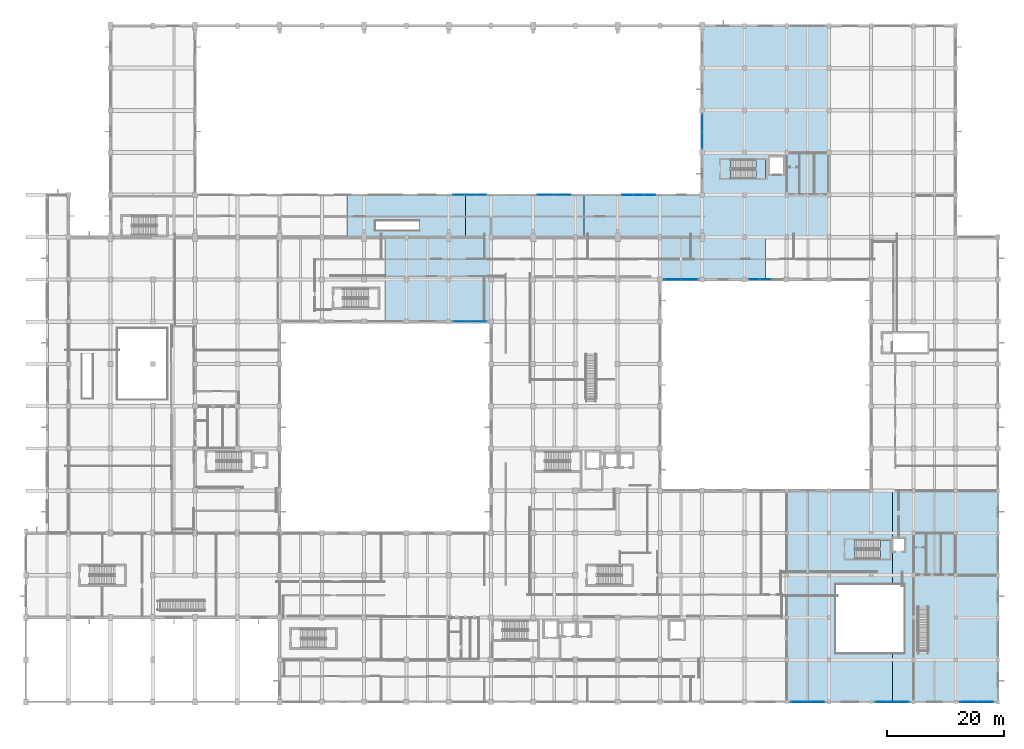
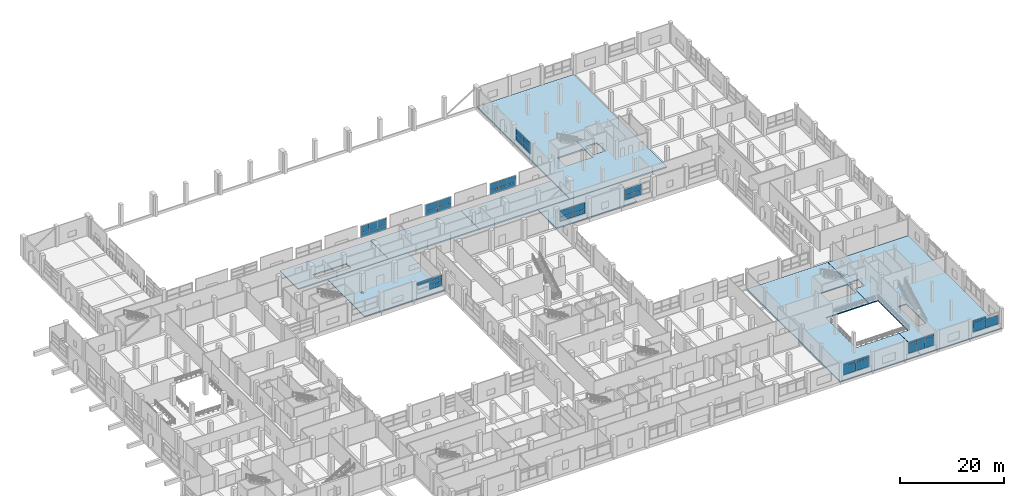
# One storey, part 149 of 181: 45 plates, 10 slabs, 12 elements without a shape of their own.
"""IFC4 building model written with IfcOpenShell, lengths in metres."""

from ifc_helpers import new_model, si_unit, direction, frame, origin, origin_2d, place, context, subcontext, project, spatial, polyline, rectangle, outline, extrude, material, layer, layer_set, type_object, element, aggregate, save


model = new_model("IFC4")

# Units and contexts
model_context = context("Model", 3, precision=1e-05, world=origin(), true_north=direction((0.0, 1.0)))
body_context = subcontext(model_context, "Body", "Model", "MODEL_VIEW")
ifc_project = project(units=[si_unit("LENGTHUNIT", "METRE"), si_unit("AREAUNIT", "SQUARE_METRE"), si_unit("VOLUMEUNIT", "CUBIC_METRE"), si_unit("PLANEANGLEUNIT", "RADIAN"), si_unit("MASSUNIT", "GRAM", prefix="KILO")], contexts=[model_context])

# Site, building, storey
site_placement = place(None, origin())
site = spatial("IfcSite", under=ifc_project, at=site_placement, CompositionType="ELEMENT")
building_placement = place(site_placement, origin())
building = spatial("IfcBuilding", under=site, at=building_placement, Name="Seraya Terrace Polytechnic", CompositionType="ELEMENT")
storey_placement = place(building_placement, frame((0.0, 0.0, 4.800048828125)))
storey = spatial("IfcBuildingStorey", under=building, at=storey_placement, Name="L01", CompositionType="ELEMENT", Elevation=4.800048828125)

# Curtain wall, plates
ifc_material_1 = material(Name="Anodised aluminium EN AW-6063 T6", Category="aluminium")
ifc_layer_1 = layer(ifc_material_1, 0.179931640625, Name="CW-13")
ifc_layer_set_1 = layer_set([ifc_layer_1], Name="Anodised aluminium EN AW-6063 T6")
curtain_wall_type_1 = type_object("IfcCurtainWallType", Name="CW-13", PredefinedType="NOTDEFINED", material=ifc_layer_set_1)
curtain_wall_1_placement = place(storey_placement, origin())
curtain_wall_1 = element("IfcCurtainWall", 1, at=curtain_wall_1_placement, inside=storey, type_object=curtain_wall_type_1, Name="Unitised curtain wall CW-13 (CW-L01-013)", PredefinedType="NOTDEFINED")
ifc_material_2 = material(Name="Laminated solar-control Low-E double glazing", Category="glass")
ifc_layer_2 = layer(ifc_material_2, 0.028076171875, Name="CWP-01")
ifc_layer_set_2 = layer_set([ifc_layer_2], Name="Laminated solar-control Low-E double glazing")
plate_type_1 = type_object("IfcPlateType", Name="CWP-01", PredefinedType="CURTAIN_PANEL", material=ifc_layer_set_2)
plate_1_placement = place(storey_placement, frame((73.6962890625, 86.39990234375, 1.300048828125), z_axis=(0.0, 0.0, 1.0), x_axis=(1.0, 0.0, 0.0)))
plate_1 = element("IfcPlate", 2, at=plate_1_placement, type_object=plate_type_1, Name="CW-13 panel 1.1", PredefinedType="CURTAIN_PANEL", context=body_context, shape_type="SweptSolid", body=[
    extrude(rectangle(XDim=1.822509765625, YDim=0.028076171875, at=origin_2d()), origin(), (0.0, 0.0, 1.0), 1.11962890625),
])
plate_2_placement = place(storey_placement, frame((73.6962890625, 86.39990234375, 2.4794921875), z_axis=(0.0, 0.0, 1.0), x_axis=(1.0, 0.0, 0.0)))
plate_2 = element("IfcPlate", 3, at=plate_2_placement, type_object=plate_type_1, Name="CW-13 panel 1.2", PredefinedType="CURTAIN_PANEL", context=body_context, shape_type="SweptSolid", body=[
    extrude(rectangle(XDim=1.822509765625, YDim=0.028076171875, at=origin_2d()), origin(), (0.0, 0.0, 1.0), 1.580322265625),
])
plate_3_placement = place(storey_placement, frame((75.60009765625, 86.39990234375, 1.300048828125), z_axis=(0.0, 0.0, 1.0), x_axis=(1.0, 0.0, 0.0)))
plate_3 = element("IfcPlate", 4, at=plate_3_placement, type_object=plate_type_1, Name="CW-13 panel 2.1", PredefinedType="CURTAIN_PANEL", context=body_context, shape_type="SweptSolid", body=[
    extrude(rectangle(XDim=1.85498046875, YDim=0.028076171875, at=origin_2d()), origin(), (0.0, 0.0, 1.0), 1.11962890625),
])
plate_4_placement = place(storey_placement, frame((75.60009765625, 86.39990234375, 2.4794921875), z_axis=(0.0, 0.0, 1.0), x_axis=(1.0, 0.0, 0.0)))
plate_4 = element("IfcPlate", 5, at=plate_4_placement, type_object=plate_type_1, Name="CW-13 panel 2.2", PredefinedType="CURTAIN_PANEL", context=body_context, shape_type="SweptSolid", body=[
    extrude(rectangle(XDim=1.85498046875, YDim=0.028076171875, at=origin_2d()), origin(), (0.0, 0.0, 1.0), 1.580322265625),
])
plate_5_placement = place(storey_placement, frame((77.503662109375, 86.39990234375, 1.300048828125), z_axis=(0.0, 0.0, 1.0), x_axis=(1.0, 0.0, 0.0)))
plate_5 = element("IfcPlate", 6, at=plate_5_placement, type_object=plate_type_1, Name="CW-13 panel 3.1", PredefinedType="CURTAIN_PANEL", context=body_context, shape_type="SweptSolid", body=[
    extrude(rectangle(XDim=1.822509765625, YDim=0.028076171875, at=origin_2d()), origin(), (0.0, 0.0, 1.0), 1.11962890625),
])
plate_6_placement = place(storey_placement, frame((77.503662109375, 86.39990234375, 2.4794921875), z_axis=(0.0, 0.0, 1.0), x_axis=(1.0, 0.0, 0.0)))
plate_6 = element("IfcPlate", 7, at=plate_6_placement, type_object=plate_type_1, Name="CW-13 panel 3.2", PredefinedType="CURTAIN_PANEL", context=body_context, shape_type="SweptSolid", body=[
    extrude(rectangle(XDim=1.822509765625, YDim=0.028076171875, at=origin_2d()), origin(), (0.0, 0.0, 1.0), 1.580322265625),
])
aggregate(curtain_wall_1, [plate_1, plate_2, plate_3, plate_4, plate_5, plate_6])

ifc_layer_3 = layer(ifc_material_1, 0.179931640625, Name="CW-16")
ifc_layer_set_3 = layer_set([ifc_layer_3], Name="Anodised aluminium EN AW-6063 T6")
curtain_wall_type_2 = type_object("IfcCurtainWallType", Name="CW-16", PredefinedType="NOTDEFINED", material=ifc_layer_set_3)
curtain_wall_2_placement = place(storey_placement, origin())
curtain_wall_2 = element("IfcCurtainWall", 8, at=curtain_wall_2_placement, inside=storey, type_object=curtain_wall_type_2, Name="Unitised curtain wall CW-16 (CW-L01-016)", PredefinedType="NOTDEFINED")
plate_7_placement = place(storey_placement, frame((115.199951171875, 95.7763671875, 1.2998046875), z_axis=(0.0, 0.0, 1.0), x_axis=(0.0, 1.0, 0.0)))
plate_7 = element("IfcPlate", 9, at=plate_7_placement, type_object=plate_type_1, Name="CW-16 panel 1.1", PredefinedType="CURTAIN_PANEL", context=body_context, shape_type="SweptSolid", body=[
    extrude(rectangle(XDim=2.782470703125, YDim=0.028076171875, at=origin_2d()), origin(), (0.0, 0.0, 1.0), 1.069091796875),
])
plate_8_placement = place(storey_placement, frame((115.199951171875, 95.7763671875, 2.42919921875), z_axis=(0.0, 0.0, 1.0), x_axis=(0.0, 1.0, 0.0)))
plate_8 = element("IfcPlate", 10, at=plate_8_placement, type_object=plate_type_1, Name="CW-16 panel 1.2", PredefinedType="CURTAIN_PANEL", context=body_context, shape_type="SweptSolid", body=[
    extrude(rectangle(XDim=2.782470703125, YDim=0.028076171875, at=origin_2d()), origin(), (0.0, 0.0, 1.0), 1.5107421875),
])
plate_9_placement = place(storey_placement, frame((115.199951171875, 98.623779296875, 1.2998046875), z_axis=(0.0, 0.0, 1.0), x_axis=(0.0, 1.0, 0.0)))
plate_9 = element("IfcPlate", 11, at=plate_9_placement, type_object=plate_type_1, Name="CW-16 panel 2.1", PredefinedType="CURTAIN_PANEL", context=body_context, shape_type="SweptSolid", body=[
    extrude(rectangle(XDim=2.782470703125, YDim=0.028076171875, at=origin_2d()), origin(), (0.0, 0.0, 1.0), 1.069091796875),
])
plate_10_placement = place(storey_placement, frame((115.199951171875, 98.623779296875, 2.42919921875), z_axis=(0.0, 0.0, 1.0), x_axis=(0.0, 1.0, 0.0)))
plate_10 = element("IfcPlate", 12, at=plate_10_placement, type_object=plate_type_1, Name="CW-16 panel 2.2", PredefinedType="CURTAIN_PANEL", context=body_context, shape_type="SweptSolid", body=[
    extrude(rectangle(XDim=2.782470703125, YDim=0.028076171875, at=origin_2d()), origin(), (0.0, 0.0, 1.0), 1.5107421875),
])
aggregate(curtain_wall_2, [plate_7, plate_8, plate_9, plate_10])

ifc_layer_4 = layer(ifc_material_1, 0.179931640625, Name="CW-28")
ifc_layer_set_4 = layer_set([ifc_layer_4], Name="Anodised aluminium EN AW-6063 T6")
curtain_wall_type_3 = type_object("IfcCurtainWallType", Name="CW-28", PredefinedType="NOTDEFINED", material=ifc_layer_set_4)
curtain_wall_3_placement = place(storey_placement, origin())
curtain_wall_3 = element("IfcCurtainWall", 13, at=curtain_wall_3_placement, inside=storey, type_object=curtain_wall_type_3, Name="Unitised curtain wall CW-28 (CW-L01-028)", PredefinedType="NOTDEFINED")
plate_11_placement = place(storey_placement, frame((149.503662109375, 0.0, 1.2998046875), z_axis=(0.0, 0.0, 1.0), x_axis=(-1.0, 0.0, 0.0)))
plate_11 = element("IfcPlate", 14, at=plate_11_placement, type_object=plate_type_1, Name="CW-28 panel 1.1", PredefinedType="CURTAIN_PANEL", context=body_context, shape_type="SweptSolid", body=[
    extrude(rectangle(XDim=1.822509765625, YDim=0.028076171875, at=origin_2d()), origin(), (0.0, 0.0, 1.0), 2.050048828125),
])
plate_12_placement = place(storey_placement, frame((149.503662109375, 0.0, 3.41015625), z_axis=(0.0, 0.0, 1.0), x_axis=(-1.0, 0.0, 0.0)))
plate_12 = element("IfcPlate", 15, at=plate_12_placement, type_object=plate_type_1, Name="CW-28 panel 1.2", PredefinedType="CURTAIN_PANEL", context=body_context, shape_type="SweptSolid", body=[
    extrude(rectangle(XDim=1.822509765625, YDim=0.028076171875, at=origin_2d()), origin(), (0.0, 0.0, 1.0), 0.530029296875),
])
plate_13_placement = place(storey_placement, frame((147.60009765625, 0.0, 1.2998046875), z_axis=(0.0, 0.0, 1.0), x_axis=(-1.0, 0.0, 0.0)))
plate_13 = element("IfcPlate", 16, at=plate_13_placement, type_object=plate_type_1, Name="CW-28 panel 2.1", PredefinedType="CURTAIN_PANEL", context=body_context, shape_type="SweptSolid", body=[
    extrude(rectangle(XDim=1.85498046875, YDim=0.028076171875, at=origin_2d()), origin(), (0.0, 0.0, 1.0), 2.050048828125),
])
plate_14_placement = place(storey_placement, frame((147.60009765625, 0.0, 3.41015625), z_axis=(0.0, 0.0, 1.0), x_axis=(-1.0, 0.0, 0.0)))
plate_14 = element("IfcPlate", 17, at=plate_14_placement, type_object=plate_type_1, Name="CW-28 panel 2.2", PredefinedType="CURTAIN_PANEL", context=body_context, shape_type="SweptSolid", body=[
    extrude(rectangle(XDim=1.85498046875, YDim=0.028076171875, at=origin_2d()), origin(), (0.0, 0.0, 1.0), 0.530029296875),
])
plate_15_placement = place(storey_placement, frame((145.6962890625, 0.0, 1.2998046875), z_axis=(0.0, 0.0, 1.0), x_axis=(-1.0, 0.0, 0.0)))
plate_15 = element("IfcPlate", 18, at=plate_15_placement, type_object=plate_type_1, Name="CW-28 panel 3.1", PredefinedType="CURTAIN_PANEL", context=body_context, shape_type="SweptSolid", body=[
    extrude(rectangle(XDim=1.822509765625, YDim=0.028076171875, at=origin_2d()), origin(), (0.0, 0.0, 1.0), 2.050048828125),
])
plate_16_placement = place(storey_placement, frame((145.6962890625, 0.0, 3.41015625), z_axis=(0.0, 0.0, 1.0), x_axis=(-1.0, 0.0, 0.0)))
plate_16 = element("IfcPlate", 19, at=plate_16_placement, type_object=plate_type_1, Name="CW-28 panel 3.2", PredefinedType="CURTAIN_PANEL", context=body_context, shape_type="SweptSolid", body=[
    extrude(rectangle(XDim=1.822509765625, YDim=0.028076171875, at=origin_2d()), origin(), (0.0, 0.0, 1.0), 0.530029296875),
])
aggregate(curtain_wall_3, [plate_11, plate_12, plate_13, plate_14, plate_15, plate_16])

ifc_layer_5 = layer(ifc_material_1, 0.179931640625, Name="CW-07")
ifc_layer_set_5 = layer_set([ifc_layer_5], Name="Anodised aluminium EN AW-6063 T6")
curtain_wall_type_4 = type_object("IfcCurtainWallType", Name="CW-07", PredefinedType="NOTDEFINED", material=ifc_layer_set_5)
curtain_wall_4_placement = place(storey_placement, origin())
curtain_wall_4 = element("IfcCurtainWall", 20, at=curtain_wall_4_placement, inside=storey, type_object=curtain_wall_type_4, Name="Unitised curtain wall CW-07 (CW-L01-043)", PredefinedType="NOTDEFINED")
plate_17_placement = place(storey_placement, frame((77.023681640625, 64.800048828125, 1.300048828125), z_axis=(0.0, 0.0, 1.0), x_axis=(-1.0, 0.0, 0.0)))
plate_17 = element("IfcPlate", 21, at=plate_17_placement, type_object=plate_type_1, Name="CW-07 panel 1.1", PredefinedType="CURTAIN_PANEL", context=body_context, shape_type="SweptSolid", body=[
    extrude(rectangle(XDim=2.782470703125, YDim=0.028076171875, at=origin_2d()), origin(), (0.0, 0.0, 1.0), 0.8603515625),
])
plate_18_placement = place(storey_placement, frame((77.023681640625, 64.800048828125, 2.22021484375), z_axis=(0.0, 0.0, 1.0), x_axis=(-1.0, 0.0, 0.0)))
plate_18 = element("IfcPlate", 22, at=plate_18_placement, type_object=plate_type_1, Name="CW-07 panel 1.2", PredefinedType="CURTAIN_PANEL", context=body_context, shape_type="SweptSolid", body=[
    extrude(rectangle(XDim=2.782470703125, YDim=0.028076171875, at=origin_2d()), origin(), (0.0, 0.0, 1.0), 0.890380859375),
])
plate_19_placement = place(storey_placement, frame((77.023681640625, 64.800048828125, 3.1708984375), z_axis=(0.0, 0.0, 1.0), x_axis=(-1.0, 0.0, 0.0)))
plate_19 = element("IfcPlate", 23, at=plate_19_placement, type_object=plate_type_1, Name="CW-07 panel 1.3", PredefinedType="CURTAIN_PANEL", context=body_context, shape_type="SweptSolid", body=[
    extrude(rectangle(XDim=2.782470703125, YDim=0.028076171875, at=origin_2d()), origin(), (0.0, 0.0, 1.0), 0.649169921875),
])
plate_20_placement = place(storey_placement, frame((74.17626953125, 64.800048828125, 3.1708984375), z_axis=(0.0, 0.0, 1.0), x_axis=(-1.0, 0.0, 0.0)))
plate_20 = element("IfcPlate", 24, at=plate_20_placement, type_object=plate_type_1, Name="CW-07 panel 2.3", PredefinedType="CURTAIN_PANEL", context=body_context, shape_type="SweptSolid", body=[
    extrude(rectangle(XDim=2.782470703125, YDim=0.028076171875, at=origin_2d()), origin(), (0.0, 0.0, 1.0), 0.649169921875),
])
aggregate(curtain_wall_4, [plate_17, plate_18, plate_19, plate_20])

curtain_wall_5_placement = place(storey_placement, origin())
curtain_wall_5 = element("IfcCurtainWall", 25, at=curtain_wall_5_placement, inside=storey, type_object=curtain_wall_type_1, Name="Unitised curtain wall CW-13 (CW-L01-049)", PredefinedType="NOTDEFINED")
plate_21_placement = place(storey_placement, frame((126.0, 72.0, 1.2998046875), z_axis=(0.0, 0.0, 1.0), x_axis=(-1.0, 0.0, 0.0)))
plate_21 = element("IfcPlate", 26, at=plate_21_placement, type_object=plate_type_1, Name="CW-13 panel 2.1", PredefinedType="CURTAIN_PANEL", context=body_context, shape_type="SweptSolid", body=[
    extrude(rectangle(XDim=1.85498046875, YDim=0.028076171875, at=origin_2d()), origin(), (0.0, 0.0, 1.0), 1.018798828125),
])
plate_22_placement = place(storey_placement, frame((126.0, 72.0, 2.37890625), z_axis=(0.0, 0.0, 1.0), x_axis=(-1.0, 0.0, 0.0)))
plate_22 = element("IfcPlate", 27, at=plate_22_placement, type_object=plate_type_1, Name="CW-13 panel 2.2", PredefinedType="CURTAIN_PANEL", context=body_context, shape_type="SweptSolid", body=[
    extrude(rectangle(XDim=1.85498046875, YDim=0.028076171875, at=origin_2d()), origin(), (0.0, 0.0, 1.0), 1.441162109375),
])
plate_23_placement = place(storey_placement, frame((124.09619140625, 72.0, 1.2998046875), z_axis=(0.0, 0.0, 1.0), x_axis=(-1.0, 0.0, 0.0)))
plate_23 = element("IfcPlate", 28, at=plate_23_placement, type_object=plate_type_1, Name="CW-13 panel 3.1", PredefinedType="CURTAIN_PANEL", context=body_context, shape_type="SweptSolid", body=[
    extrude(rectangle(XDim=1.822509765625, YDim=0.028076171875, at=origin_2d()), origin(), (0.0, 0.0, 1.0), 1.018798828125),
])
plate_24_placement = place(storey_placement, frame((124.09619140625, 72.0, 2.37890625), z_axis=(0.0, 0.0, 1.0), x_axis=(-1.0, 0.0, 0.0)))
plate_24 = element("IfcPlate", 29, at=plate_24_placement, type_object=plate_type_1, Name="CW-13 panel 3.2", PredefinedType="CURTAIN_PANEL", context=body_context, shape_type="SweptSolid", body=[
    extrude(rectangle(XDim=1.822509765625, YDim=0.028076171875, at=origin_2d()), origin(), (0.0, 0.0, 1.0), 1.441162109375),
])
aggregate(curtain_wall_5, [plate_21, plate_22, plate_23, plate_24])

ifc_layer_6 = layer(ifc_material_1, 0.179931640625, Name="CW-14")
ifc_layer_set_6 = layer_set([ifc_layer_6], Name="Anodised aluminium EN AW-6063 T6")
curtain_wall_type_5 = type_object("IfcCurtainWallType", Name="CW-14", PredefinedType="NOTDEFINED", material=ifc_layer_set_6)
curtain_wall_6_placement = place(storey_placement, origin())
curtain_wall_6 = element("IfcCurtainWall", 30, at=curtain_wall_6_placement, inside=storey, type_object=curtain_wall_type_5, Name="Unitised curtain wall CW-14 (CW-L01-014)", PredefinedType="NOTDEFINED")
ifc_layer_7 = layer(ifc_material_2, 0.031982421875, Name="CWP-02")
ifc_layer_set_7 = layer_set([ifc_layer_7], Name="Laminated solar-control Low-E double glazing")
plate_type_2 = type_object("IfcPlateType", Name="CWP-02", PredefinedType="CURTAIN_PANEL", material=ifc_layer_set_7)
plate_25_placement = place(storey_placement, frame((88.574951171875, 86.39990234375, 1.2998046875), z_axis=(0.0, 0.0, 1.0), x_axis=(1.0, 0.0, 0.0)))
plate_25 = element("IfcPlate", 31, at=plate_25_placement, type_object=plate_type_2, Name="CW-14 panel 1.1", PredefinedType="CURTAIN_PANEL", context=body_context, shape_type="SweptSolid", body=[
    extrude(rectangle(XDim=2.7900390625, YDim=0.031982421875, at=origin_2d()), origin(), (0.0, 0.0, 1.0), 1.102783203125),
])
plate_26_placement = place(storey_placement, frame((88.574951171875, 86.39990234375, 2.462890625), z_axis=(0.0, 0.0, 1.0), x_axis=(1.0, 0.0, 0.0)))
plate_26 = element("IfcPlate", 32, at=plate_26_placement, type_object=plate_type_2, Name="CW-14 panel 1.2", PredefinedType="CURTAIN_PANEL", context=body_context, shape_type="SweptSolid", body=[
    extrude(rectangle(XDim=2.7900390625, YDim=0.031982421875, at=origin_2d()), origin(), (0.0, 0.0, 1.0), 1.55712890625),
])
plate_27_placement = place(storey_placement, frame((91.425048828125, 86.39990234375, 1.2998046875), z_axis=(0.0, 0.0, 1.0), x_axis=(1.0, 0.0, 0.0)))
plate_27 = element("IfcPlate", 33, at=plate_27_placement, type_object=plate_type_2, Name="CW-14 panel 2.1", PredefinedType="CURTAIN_PANEL", context=body_context, shape_type="SweptSolid", body=[
    extrude(rectangle(XDim=2.7900390625, YDim=0.031982421875, at=origin_2d()), origin(), (0.0, 0.0, 1.0), 1.102783203125),
])
plate_28_placement = place(storey_placement, frame((91.425048828125, 86.39990234375, 2.462890625), z_axis=(0.0, 0.0, 1.0), x_axis=(1.0, 0.0, 0.0)))
plate_28 = element("IfcPlate", 34, at=plate_28_placement, type_object=plate_type_2, Name="CW-14 panel 2.2", PredefinedType="CURTAIN_PANEL", context=body_context, shape_type="SweptSolid", body=[
    extrude(rectangle(XDim=2.7900390625, YDim=0.031982421875, at=origin_2d()), origin(), (0.0, 0.0, 1.0), 1.55712890625),
])
aggregate(curtain_wall_6, [plate_25, plate_26, plate_27, plate_28])

ifc_layer_8 = layer(ifc_material_1, 0.179931640625, Name="CW-29")
ifc_layer_set_8 = layer_set([ifc_layer_8], Name="Anodised aluminium EN AW-6063 T6")
curtain_wall_type_6 = type_object("IfcCurtainWallType", Name="CW-29", PredefinedType="NOTDEFINED", material=ifc_layer_set_8)
curtain_wall_7_placement = place(storey_placement, origin())
curtain_wall_7 = element("IfcCurtainWall", 35, at=curtain_wall_7_placement, inside=storey, type_object=curtain_wall_type_6, Name="Unitised curtain wall CW-29 (CW-L01-029)", PredefinedType="NOTDEFINED")
plate_29_placement = place(storey_placement, frame((134.625, 0.0, 1.2998046875), z_axis=(0.0, 0.0, 1.0), x_axis=(-1.0, 0.0, 0.0)))
plate_29 = element("IfcPlate", 36, at=plate_29_placement, type_object=plate_type_2, Name="CW-29 panel 1.1", PredefinedType="CURTAIN_PANEL", context=body_context, shape_type="SweptSolid", body=[
    extrude(rectangle(XDim=2.7900390625, YDim=0.031982421875, at=origin_2d()), origin(), (0.0, 0.0, 1.0), 2.010009765625),
])
plate_30_placement = place(storey_placement, frame((134.625, 0.0, 3.3701171875), z_axis=(0.0, 0.0, 1.0), x_axis=(-1.0, 0.0, 0.0)))
plate_30 = element("IfcPlate", 37, at=plate_30_placement, type_object=plate_type_2, Name="CW-29 panel 1.2", PredefinedType="CURTAIN_PANEL", context=body_context, shape_type="SweptSolid", body=[
    extrude(rectangle(XDim=2.7900390625, YDim=0.031982421875, at=origin_2d()), origin(), (0.0, 0.0, 1.0), 0.530029296875),
])
plate_31_placement = place(storey_placement, frame((131.77490234375, 0.0, 1.2998046875), z_axis=(0.0, 0.0, 1.0), x_axis=(-1.0, 0.0, 0.0)))
plate_31 = element("IfcPlate", 38, at=plate_31_placement, type_object=plate_type_2, Name="CW-29 panel 2.1", PredefinedType="CURTAIN_PANEL", context=body_context, shape_type="SweptSolid", body=[
    extrude(rectangle(XDim=2.7900390625, YDim=0.031982421875, at=origin_2d()), origin(), (0.0, 0.0, 1.0), 2.010009765625),
])
plate_32_placement = place(storey_placement, frame((131.77490234375, 0.0, 3.3701171875), z_axis=(0.0, 0.0, 1.0), x_axis=(-1.0, 0.0, 0.0)))
plate_32 = element("IfcPlate", 39, at=plate_32_placement, type_object=plate_type_2, Name="CW-29 panel 2.2", PredefinedType="CURTAIN_PANEL", context=body_context, shape_type="SweptSolid", body=[
    extrude(rectangle(XDim=2.7900390625, YDim=0.031982421875, at=origin_2d()), origin(), (0.0, 0.0, 1.0), 0.530029296875),
])
aggregate(curtain_wall_7, [plate_29, plate_30, plate_31, plate_32])

curtain_wall_8_placement = place(storey_placement, origin())
curtain_wall_8 = element("IfcCurtainWall", 40, at=curtain_wall_8_placement, inside=storey, type_object=curtain_wall_type_5, Name="Unitised curtain wall CW-14 (CW-L01-050)", PredefinedType="NOTDEFINED")
plate_33_placement = place(storey_placement, frame((113.02490234375, 72.0, 1.2998046875), z_axis=(0.0, 0.0, 1.0), x_axis=(-1.0, 0.0, 0.0)))
plate_33 = element("IfcPlate", 41, at=plate_33_placement, type_object=plate_type_2, Name="CW-14 panel 1.1", PredefinedType="CURTAIN_PANEL", context=body_context, shape_type="SweptSolid", body=[
    extrude(rectangle(XDim=2.7900390625, YDim=0.031982421875, at=origin_2d()), origin(), (0.0, 0.0, 1.0), 1.018798828125),
])
plate_34_placement = place(storey_placement, frame((113.02490234375, 72.0, 2.37890625), z_axis=(0.0, 0.0, 1.0), x_axis=(-1.0, 0.0, 0.0)))
plate_34 = element("IfcPlate", 42, at=plate_34_placement, type_object=plate_type_2, Name="CW-14 panel 1.2", PredefinedType="CURTAIN_PANEL", context=body_context, shape_type="SweptSolid", body=[
    extrude(rectangle(XDim=2.7900390625, YDim=0.031982421875, at=origin_2d()), origin(), (0.0, 0.0, 1.0), 1.441162109375),
])
plate_35_placement = place(storey_placement, frame((110.175048828125, 72.0, 1.2998046875), z_axis=(0.0, 0.0, 1.0), x_axis=(-1.0, 0.0, 0.0)))
plate_35 = element("IfcPlate", 43, at=plate_35_placement, type_object=plate_type_2, Name="CW-14 panel 2.1", PredefinedType="CURTAIN_PANEL", context=body_context, shape_type="SweptSolid", body=[
    extrude(rectangle(XDim=2.7900390625, YDim=0.031982421875, at=origin_2d()), origin(), (0.0, 0.0, 1.0), 1.018798828125),
])
plate_36_placement = place(storey_placement, frame((110.175048828125, 72.0, 2.37890625), z_axis=(0.0, 0.0, 1.0), x_axis=(-1.0, 0.0, 0.0)))
plate_36 = element("IfcPlate", 44, at=plate_36_placement, type_object=plate_type_2, Name="CW-14 panel 2.2", PredefinedType="CURTAIN_PANEL", context=body_context, shape_type="SweptSolid", body=[
    extrude(rectangle(XDim=2.7900390625, YDim=0.031982421875, at=origin_2d()), origin(), (0.0, 0.0, 1.0), 1.441162109375),
])
aggregate(curtain_wall_8, [plate_33, plate_34, plate_35, plate_36])

ifc_layer_9 = layer(ifc_material_1, 0.179931640625, Name="CW-15")
ifc_layer_set_9 = layer_set([ifc_layer_9], Name="Anodised aluminium EN AW-6063 T6")
curtain_wall_type_7 = type_object("IfcCurtainWallType", Name="CW-15", PredefinedType="NOTDEFINED", material=ifc_layer_set_9)
curtain_wall_9_placement = place(storey_placement, origin())
curtain_wall_9 = element("IfcCurtainWall", 45, at=curtain_wall_9_placement, inside=storey, type_object=curtain_wall_type_7, Name="Unitised curtain wall CW-15 (CW-L01-015)", PredefinedType="NOTDEFINED")
ifc_layer_10 = layer(ifc_material_2, 0.035888671875, Name="CWP-03")
ifc_layer_set_10 = layer_set([ifc_layer_10], Name="Laminated solar-control Low-E double glazing")
plate_type_3 = type_object("IfcPlateType", Name="CWP-03", PredefinedType="CURTAIN_PANEL", material=ifc_layer_set_10)
plate_37_placement = place(storey_placement, frame((102.4951171875, 86.39990234375, 1.294921875), z_axis=(0.0, 0.0, 1.0), x_axis=(1.0, 0.0, 0.0)))
plate_37 = element("IfcPlate", 46, at=plate_37_placement, type_object=plate_type_3, Name="CW-15 panel 1.1", PredefinedType="CURTAIN_PANEL", context=body_context, shape_type="SweptSolid", body=[
    extrude(rectangle(XDim=1.830078125, YDim=0.035888671875, at=origin_2d()), origin(), (0.0, 0.0, 1.0), 1.093505859375),
])
plate_38_placement = place(storey_placement, frame((102.4951171875, 86.39990234375, 2.443359375), z_axis=(0.0, 0.0, 1.0), x_axis=(1.0, 0.0, 0.0)))
plate_38 = element("IfcPlate", 47, at=plate_38_placement, type_object=plate_type_3, Name="CW-15 panel 1.2", PredefinedType="CURTAIN_PANEL", context=body_context, shape_type="SweptSolid", body=[
    extrude(rectangle(XDim=1.830078125, YDim=0.035888671875, at=origin_2d()), origin(), (0.0, 0.0, 1.0), 1.54150390625),
])
plate_39_placement = place(storey_placement, frame((104.39990234375, 86.39990234375, 1.294921875), z_axis=(0.0, 0.0, 1.0), x_axis=(1.0, 0.0, 0.0)))
plate_39 = element("IfcPlate", 48, at=plate_39_placement, type_object=plate_type_3, Name="CW-15 panel 2.1", PredefinedType="CURTAIN_PANEL", context=body_context, shape_type="SweptSolid", body=[
    extrude(rectangle(XDim=1.860107421875, YDim=0.035888671875, at=origin_2d()), origin(), (0.0, 0.0, 1.0), 1.093505859375),
])
plate_40_placement = place(storey_placement, frame((104.39990234375, 86.39990234375, 2.443359375), z_axis=(0.0, 0.0, 1.0), x_axis=(1.0, 0.0, 0.0)))
plate_40 = element("IfcPlate", 49, at=plate_40_placement, type_object=plate_type_3, Name="CW-15 panel 2.2", PredefinedType="CURTAIN_PANEL", context=body_context, shape_type="SweptSolid", body=[
    extrude(rectangle(XDim=1.860107421875, YDim=0.035888671875, at=origin_2d()), origin(), (0.0, 0.0, 1.0), 1.54150390625),
])
plate_41_placement = place(storey_placement, frame((106.304931640625, 86.39990234375, 1.294921875), z_axis=(0.0, 0.0, 1.0), x_axis=(1.0, 0.0, 0.0)))
plate_41 = element("IfcPlate", 50, at=plate_41_placement, type_object=plate_type_3, Name="CW-15 panel 3.1", PredefinedType="CURTAIN_PANEL", context=body_context, shape_type="SweptSolid", body=[
    extrude(rectangle(XDim=1.830078125, YDim=0.035888671875, at=origin_2d()), origin(), (0.0, 0.0, 1.0), 1.093505859375),
])
plate_42_placement = place(storey_placement, frame((106.304931640625, 86.39990234375, 2.443359375), z_axis=(0.0, 0.0, 1.0), x_axis=(1.0, 0.0, 0.0)))
plate_42 = element("IfcPlate", 51, at=plate_42_placement, type_object=plate_type_3, Name="CW-15 panel 3.2", PredefinedType="CURTAIN_PANEL", context=body_context, shape_type="SweptSolid", body=[
    extrude(rectangle(XDim=1.830078125, YDim=0.035888671875, at=origin_2d()), origin(), (0.0, 0.0, 1.0), 1.54150390625),
])
aggregate(curtain_wall_9, [plate_37, plate_38, plate_39, plate_40, plate_41, plate_42])

ifc_layer_11 = layer(ifc_material_1, 0.179931640625, Name="CW-27")
ifc_layer_set_11 = layer_set([ifc_layer_11], Name="Anodised aluminium EN AW-6063 T6")
curtain_wall_type_8 = type_object("IfcCurtainWallType", Name="CW-27", PredefinedType="NOTDEFINED", material=ifc_layer_set_11)
curtain_wall_10_placement = place(storey_placement, origin())
curtain_wall_10 = element("IfcCurtainWall", 52, at=curtain_wall_10_placement, inside=storey, type_object=curtain_wall_type_8, Name="Unitised curtain wall CW-27 (CW-L01-027)", PredefinedType="NOTDEFINED")
plate_43_placement = place(storey_placement, frame((163.425048828125, 0.0, 1.294921875), z_axis=(0.0, 0.0, 1.0), x_axis=(-1.0, 0.0, 0.0)))
plate_43 = element("IfcPlate", 53, at=plate_43_placement, type_object=plate_type_3, Name="CW-27 panel 1.1", PredefinedType="CURTAIN_PANEL", context=body_context, shape_type="SweptSolid", body=[
    extrude(rectangle(XDim=2.7900390625, YDim=0.035888671875, at=origin_2d()), origin(), (0.0, 0.0, 1.0), 2.097412109375),
])
plate_44_placement = place(storey_placement, frame((160.574951171875, 0.0, 1.294921875), z_axis=(0.0, 0.0, 1.0), x_axis=(-1.0, 0.0, 0.0)))
plate_44 = element("IfcPlate", 54, at=plate_44_placement, type_object=plate_type_3, Name="CW-27 panel 2.1", PredefinedType="CURTAIN_PANEL", context=body_context, shape_type="SweptSolid", body=[
    extrude(rectangle(XDim=2.7900390625, YDim=0.035888671875, at=origin_2d()), origin(), (0.0, 0.0, 1.0), 2.097412109375),
])
plate_45_placement = place(storey_placement, frame((160.574951171875, 0.0, 3.447509765625), z_axis=(0.0, 0.0, 1.0), x_axis=(-1.0, 0.0, 0.0)))
plate_45 = element("IfcPlate", 55, at=plate_45_placement, type_object=plate_type_3, Name="CW-27 panel 2.2", PredefinedType="CURTAIN_PANEL", context=body_context, shape_type="SweptSolid", body=[
    extrude(rectangle(XDim=2.7900390625, YDim=0.035888671875, at=origin_2d()), origin(), (0.0, 0.0, 1.0), 0.53759765625),
])
aggregate(curtain_wall_10, [plate_43, plate_44, plate_45])

# Slabs
ifc_material_3 = material(Name="Concrete C40/50", Category="concrete")
ifc_layer_12 = layer(ifc_material_3, 0.2900390625, Name="FS-01")
ifc_layer_set_12 = layer_set([ifc_layer_12], Name="Concrete C40/50")
slab_type_1 = type_object("IfcSlabType", Name="FS-01", PredefinedType="FLOOR", material=ifc_layer_set_12)
slab_1_placement = place(storey_placement, frame((0.0, 0.0, -0.2900390625)))
element("IfcSlab", 56, at=slab_1_placement, inside=storey, type_object=slab_type_1, Name="Floor slab SLB-V1-GAL-S-L01-S3 (FS-01)", PredefinedType="FLOOR", context=body_context, shape_type="SweptSolid", body=[
    extrude(outline(polyline([(74.8798828125, 86.340087890625), (74.8798828125, 79.260009765625), (54.72509765625, 79.260009765625), (54.72509765625, 86.340087890625), (74.8798828125, 86.340087890625)]), holes=[polyline([(67.080078125, 81.949951171875), (59.56005859375, 81.949951171875), (59.56005859375, 80.35009765625), (67.080078125, 80.35009765625), (67.080078125, 81.949951171875)])]), origin(), (0.0, 0.0, 1.0), 0.2900390625),
])
slab_2_placement = place(storey_placement, frame((0.0, 0.0, -0.2900390625)))
element("IfcSlab", 57, at=slab_2_placement, inside=storey, type_object=slab_type_1, Name="Floor slab SLB-V1-GAL-S-L01-S4 (FS-01)", PredefinedType="FLOOR", context=body_context, shape_type="SweptSolid", body=[
    extrude(outline(polyline([(95.0400390625, 86.340087890625), (95.0400390625, 79.260009765625), (74.885009765625, 79.260009765625), (74.885009765625, 86.340087890625), (95.0400390625, 86.340087890625)])), origin(), (0.0, 0.0, 1.0), 0.2900390625),
])
slab_3_placement = place(storey_placement, frame((0.0, 0.0, -0.2900390625)))
element("IfcSlab", 58, at=slab_3_placement, inside=storey, type_object=slab_type_1, Name="Floor slab SLB-V1-GAL-S-L01-S5 (FS-01)", PredefinedType="FLOOR", context=body_context, shape_type="SweptSolid", body=[
    extrude(outline(polyline([(115.139892578125, 86.340087890625), (115.139892578125, 79.260009765625), (95.044921875, 79.260009765625), (95.044921875, 86.340087890625), (115.139892578125, 86.340087890625)])), origin(), (0.0, 0.0, 1.0), 0.2900390625),
])
slab_4_placement = place(storey_placement, frame((0.0, 0.0, -0.2900390625)))
element("IfcSlab", 59, at=slab_4_placement, inside=storey, type_object=slab_type_1, Name="Floor slab SLB-V1-ANNEX-L01-S1 (FS-01)", PredefinedType="FLOOR", context=body_context, shape_type="SweptSolid", body=[
    extrude(outline(polyline([(115.260009765625, 115.139892578125), (136.800048828125, 115.139892578125), (136.800048828125, 79.260009765625), (115.260009765625, 79.260009765625), (115.260009765625, 115.139892578125)]), holes=[polyline([(126.0, 92.39990234375), (120.0400390625, 92.39990234375), (120.0400390625, 89.199951171875), (126.0, 89.199951171875), (126.0, 92.39990234375)]), polyline([(129.199951171875, 93.0), (126.60009765625, 93.0), (126.60009765625, 89.800048828125), (129.199951171875, 89.800048828125), (129.199951171875, 93.0)])]), origin(), (0.0, 0.0, 1.0), 0.2900390625),
])
ifc_layer_13 = layer(ifc_material_3, 0.25, Name="FS-03")
ifc_layer_set_13 = layer_set([ifc_layer_13], Name="Concrete C40/50")
slab_type_2 = type_object("IfcSlabType", Name="FS-03", PredefinedType="FLOOR", material=ifc_layer_set_13)
slab_5_placement = place(storey_placement, frame((0.0, 0.0, -0.25)))
element("IfcSlab", 60, at=slab_5_placement, inside=storey, type_object=slab_type_2, Name="Floor slab SLB-V2-NWRIM-L01-S2 (FS-03)", PredefinedType="FLOOR", context=body_context, shape_type="SweptSolid", body=[
    extrude(outline(polyline([(79.139892578125, 79.139892578125), (79.139892578125, 64.860107421875), (61.205078125, 64.860107421875), (61.205078125, 79.139892578125), (79.139892578125, 79.139892578125)]), holes=[polyline([(64.550048828125, 72.25), (64.550048828125, 71.75), (65.050048828125, 71.75), (65.050048828125, 72.25), (64.550048828125, 72.25)])]), origin(), (0.0, 0.0, 1.0), 0.25),
])
slab_6_placement = place(storey_placement, frame((0.0, 0.0, -0.25)))
element("IfcSlab", 61, at=slab_6_placement, inside=storey, type_object=slab_type_2, Name="Floor slab SLB-V2-NERIM-L01-S1 (FS-03)", PredefinedType="FLOOR", context=body_context, shape_type="SweptSolid", body=[
    extrude(outline(polyline([(108.06005859375, 79.139892578125), (126.0, 79.139892578125), (126.0, 72.06005859375), (108.06005859375, 72.06005859375), (108.06005859375, 79.139892578125)])), origin(), (0.0, 0.0, 1.0), 0.25),
])
ifc_layer_14 = layer(ifc_material_3, 0.22998046875, Name="FS-06")
ifc_layer_set_14 = layer_set([ifc_layer_14], Name="Concrete C40/50")
slab_type_3 = type_object("IfcSlabType", Name="FS-06", PredefinedType="FLOOR", material=ifc_layer_set_14)
slab_7_placement = place(storey_placement, frame((0.0, 0.0, -0.22998046875)))
element("IfcSlab", 62, at=slab_7_placement, inside=storey, type_object=slab_type_3, Name="Floor slab SLB-V4-UNION-L01-S1 (FS-06)", PredefinedType="FLOOR", context=body_context, shape_type="SweptSolid", body=[
    extrude(outline(polyline([(129.659912109375, 0.06005859375), (129.659912109375, 35.93994140625), (147.60009765625, 35.93994140625), (147.60009765625, 20.0), (138.0, 20.0), (138.0, 8.39990234375), (147.60009765625, 8.39990234375), (147.60009765625, 0.06005859375), (129.659912109375, 0.06005859375)]), holes=[polyline([(147.199951171875, 27.60009765625), (141.239990234375, 27.60009765625), (141.239990234375, 24.39990234375), (147.199951171875, 24.39990234375), (147.199951171875, 27.60009765625)])]), origin(), (0.0, 0.0, 1.0), 0.22998046875),
])
slab_8_placement = place(storey_placement, frame((0.0, 0.0, -0.22998046875)))
element("IfcSlab", 63, at=slab_8_placement, inside=storey, type_object=slab_type_3, Name="Floor slab SLB-V4-UNION-L01-S2 (FS-06)", PredefinedType="FLOOR", context=body_context, shape_type="SweptSolid", body=[
    extrude(outline(polyline([(165.5400390625, 35.93994140625), (165.5400390625, 0.06005859375), (147.60498046875, 0.06005859375), (147.60498046875, 8.39990234375), (149.60009765625, 8.39990234375), (149.60009765625, 20.0), (147.60498046875, 20.0), (147.60498046875, 25.60009765625), (149.800048828125, 25.60009765625), (149.800048828125, 28.0), (147.60498046875, 28.0), (147.60498046875, 35.93994140625), (165.5400390625, 35.93994140625)]), holes=[polyline([(153.72998046875, 16.280029296875), (151.949951171875, 16.280029296875), (151.949951171875, 8.760009765625), (153.72998046875, 8.760009765625), (153.72998046875, 16.280029296875)])]), origin(), (0.0, 0.0, 1.0), 0.22998046875),
])

# Stair, slab
stair_type = type_object("IfcStairType", Name="ST-T1", PredefinedType="HALF_TURN_STAIR", material=ifc_material_3)
stair_1_placement = place(storey_placement, origin())
stair_1 = element("IfcStair", 64, at=stair_1_placement, inside=storey, type_object=stair_type, Name="L01 Protected exit stair ST-08", PredefinedType="HALF_TURN_STAIR")
ifc_layer_15 = layer(ifc_material_3, 0.199951171875, Name="SL-01")
ifc_layer_set_15 = layer_set([ifc_layer_15], Name="Concrete C40/50")
slab_type_4 = type_object("IfcSlabType", Name="SL-01", PredefinedType="LANDING", material=ifc_layer_set_15)
slab_9_placement = place(storey_placement, frame((0.0, 0.0, 2.199951171875)))
slab_9 = element("IfcSlab", 65, at=slab_9_placement, type_object=slab_type_4, Name="ST-08 landing 1", PredefinedType="LANDING", context=body_context, shape_type="SweptSolid", body=[
    extrude(outline(polyline([(124.35009765625, 89.199951171875), (126.0, 89.199951171875), (126.0, 92.39990234375), (124.35009765625, 92.39990234375), (124.35009765625, 89.199951171875)])), origin(), (0.0, 0.0, 1.0), 0.199951171875),
])
aggregate(stair_1, [slab_9])

stair_2_placement = place(storey_placement, origin())
stair_2 = element("IfcStair", 66, at=stair_2_placement, inside=storey, type_object=stair_type, Name="L01 Protected exit stair ST-10", PredefinedType="HALF_TURN_STAIR")
slab_10_placement = place(storey_placement, frame((0.0, 0.0, 2.199951171875)))
slab_10 = element("IfcSlab", 67, at=slab_10_placement, type_object=slab_type_4, Name="ST-10 landing 1", PredefinedType="LANDING", context=body_context, shape_type="SweptSolid", body=[
    extrude(outline(polyline([(145.550048828125, 24.39990234375), (147.199951171875, 24.39990234375), (147.199951171875, 27.60009765625), (145.550048828125, 27.60009765625), (145.550048828125, 24.39990234375)])), origin(), (0.0, 0.0, 1.0), 0.199951171875),
])
aggregate(stair_2, [slab_10])

save(model, "model.ifc")
